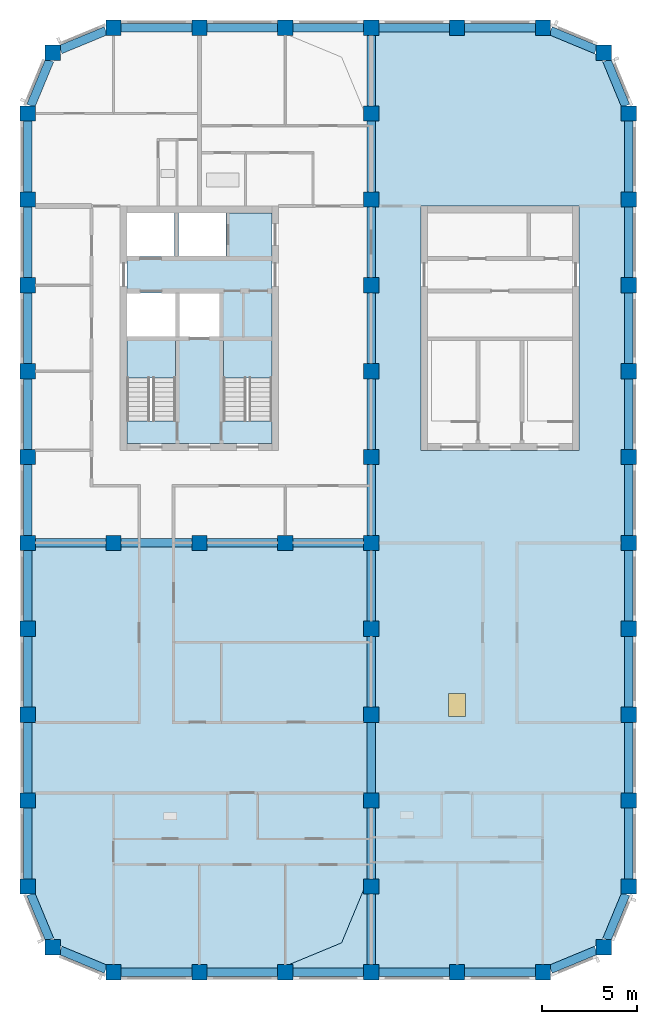
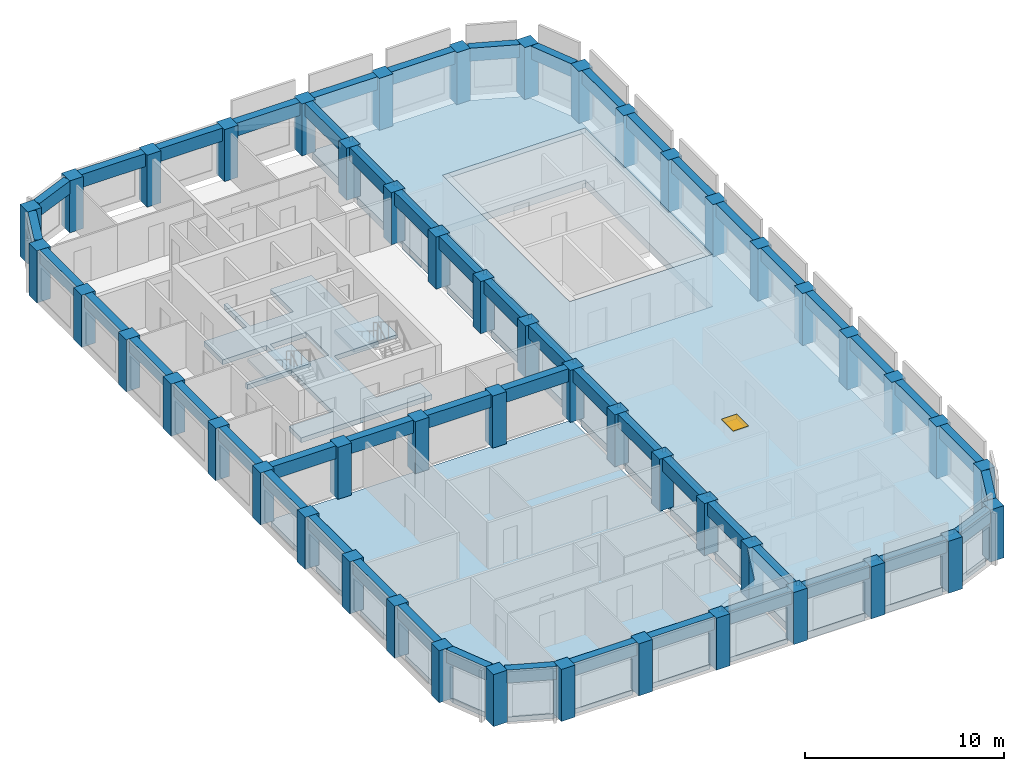
# One storey, part 1 of 10: 51 beams, 49 columns, 7 slabs, 1 window, 1 opening, 2 elements without a shape of their own.
"""IFC4 building model written with IfcOpenShell, lengths in metres."""

from ifc_helpers import new_model, si_unit, direction, frame, origin, origin_2d, place, context, subcontext, project, spatial, polyline, rectangle, outline, extrude, material, layer, layer_set, material_profile, profile_set, type_object, element, fill, aggregate, save


model = new_model("IFC4")

# Units and contexts
model_context = context("Model", 3, precision=1e-05, world=origin(), true_north=direction((0.0, 1.0)))
body_context = subcontext(model_context, "Body", "Model", "MODEL_VIEW")
ifc_project = project(units=[si_unit("LENGTHUNIT", "METRE"), si_unit("AREAUNIT", "SQUARE_METRE"), si_unit("VOLUMEUNIT", "CUBIC_METRE"), si_unit("PLANEANGLEUNIT", "RADIAN"), si_unit("MASSUNIT", "GRAM", prefix="KILO")], contexts=[model_context])

# Site, building, storey
site_placement = place(None, origin())
site = spatial("IfcSite", under=ifc_project, at=site_placement, CompositionType="ELEMENT")
building_placement = place(site_placement, origin())
building = spatial("IfcBuilding", under=site, at=building_placement, Name="Girih Gate Residences", CompositionType="ELEMENT")
storey_placement = place(building_placement, frame((0.0, 0.0, 232.4951171875)))
storey = spatial("IfcBuildingStorey", under=building, at=storey_placement, Name="L65", CompositionType="ELEMENT", Elevation=232.4951171875)

# Columns
ifc_material_1 = material(Name="Concrete C60/75", Category="concrete")
ifc_material_profile_1 = material_profile(ifc_material_1, rectangle(XDim=0.800048828125, YDim=0.800048828125, at=origin_2d()))
ifc_profile_set_1 = profile_set([ifc_material_profile_1], Name="Concrete C60/75")
column_type = type_object("IfcColumnType", Name="Pier RC 800x800 Concrete C60/75", PredefinedType="COLUMN", material=ifc_profile_set_1)
for number, where, z_axis, x_axis, name in (
    (1, (4.5, 0.0, 0.0), (0.0, 0.0, 1.0), (1.0, 0.0, 0.0), "Pier P2A L65"),
    (2, (9.0, 0.0, 0.0), (0.0, 0.0, 1.0), (1.0, 0.0, 0.0), "Pier P3A L65"),
    (3, (13.5, 0.0, 0.0), (0.0, 0.0, 1.0), (1.0, 0.0, 0.0), "Pier P4A L65"),
    (4, (18.0, 0.0, 0.0), (0.0, 0.0, 1.0), (1.0, 0.0, 0.0), "Pier P5A L65"),
    (5, (22.5, 0.0, 0.0), (0.0, 0.0, 1.0), (1.0, 0.0, 0.0), "Pier P6A L65"),
    (6, (27.0, 0.0, 0.0), (0.0, 0.0, 1.0), (1.0, 0.0, 0.0), "Pier P7A L65"),
    (7, (1.318115234375, 1.318115234375, 0.0), (0.0, 0.0, 1.0), (1.0, 0.0, 0.0), "Pier P1ANE L65"),
    (8, (30.181884765625, 1.318115234375, 0.0), (0.0, 0.0, 1.0), (1.0, 0.0, 0.0), "Pier P8ANW L65"),
    (9, (0.0, 4.5, 0.0), (0.0, 0.0, 1.0), (1.0, 0.0, 0.0), "Pier P1B L65"),
    (10, (18.0, 4.5, 0.0), (0.0, 0.0, 1.0), (1.0, 0.0, 0.0), "Pier P5B L65"),
    (11, (31.5, 4.5, 0.0), (0.0, 0.0, 1.0), (1.0, 0.0, 0.0), "Pier P8B L65"),
    (12, (0.0, 9.0, 0.0), (0.0, 0.0, 1.0), (1.0, 0.0, 0.0), "Pier P1C L65"),
    (13, (18.0, 9.0, 0.0), (0.0, 0.0, 1.0), (1.0, 0.0, 0.0), "Pier P5C L65"),
    (14, (31.5, 9.0, 0.0), (0.0, 0.0, 1.0), (1.0, 0.0, 0.0), "Pier P8C L65"),
    (15, (0.0, 13.5, 0.0), (0.0, 0.0, 1.0), (1.0, 0.0, 0.0), "Pier P1D L65"),
    (16, (18.0, 13.5, 0.0), (0.0, 0.0, 1.0), (1.0, 0.0, 0.0), "Pier P5D L65"),
    (17, (31.5, 13.5, 0.0), (0.0, 0.0, 1.0), (1.0, 0.0, 0.0), "Pier P8D L65"),
    (18, (0.0, 18.0, 0.0), (0.0, 0.0, 1.0), (1.0, 0.0, 0.0), "Pier P1E L65"),
    (19, (18.0, 18.0, 0.0), (0.0, 0.0, 1.0), (1.0, 0.0, 0.0), "Pier P5E L65"),
    (20, (31.5, 18.0, 0.0), (0.0, 0.0, 1.0), (1.0, 0.0, 0.0), "Pier P8E L65"),
    (21, (0.0, 22.5, 0.0), (0.0, 0.0, 1.0), (1.0, 0.0, 0.0), "Pier P1F L65"),
    (22, (4.5, 22.5, 0.0), (0.0, 0.0, 1.0), (1.0, 0.0, 0.0), "Pier P2F L65"),
    (23, (9.0, 22.5, 0.0), (0.0, 0.0, 1.0), (1.0, 0.0, 0.0), "Pier P3F L65"),
    (24, (13.5, 22.5, 0.0), (0.0, 0.0, 1.0), (1.0, 0.0, 0.0), "Pier P4F L65"),
    (25, (18.0, 22.5, 0.0), (0.0, 0.0, 1.0), (1.0, 0.0, 0.0), "Pier P5F L65"),
    (26, (31.5, 22.5, 0.0), (0.0, 0.0, 1.0), (1.0, 0.0, 0.0), "Pier P8F L65"),
    (27, (0.0, 27.0, 0.0), (0.0, 0.0, 1.0), (1.0, 0.0, 0.0), "Pier P1G L65"),
    (28, (18.0, 27.0, 0.0), (0.0, 0.0, 1.0), (1.0, 0.0, 0.0), "Pier P5G L65"),
    (29, (31.5, 27.0, 0.0), (0.0, 0.0, 1.0), (1.0, 0.0, 0.0), "Pier P8G L65"),
    (30, (0.0, 31.5, 0.0), (0.0, 0.0, 1.0), (1.0, 0.0, 0.0), "Pier P1H L65"),
    (31, (18.0, 31.5, 0.0), (0.0, 0.0, 1.0), (1.0, 0.0, 0.0), "Pier P5H L65"),
    (32, (31.5, 31.5, 0.0), (0.0, 0.0, 1.0), (1.0, 0.0, 0.0), "Pier P8H L65"),
    (33, (0.0, 36.0, 0.0), (0.0, 0.0, 1.0), (1.0, 0.0, 0.0), "Pier P1I L65"),
    (34, (18.0, 36.0, 0.0), (0.0, 0.0, 1.0), (1.0, 0.0, 0.0), "Pier P5I L65"),
    (35, (31.5, 36.0, 0.0), (0.0, 0.0, 1.0), (1.0, 0.0, 0.0), "Pier P8I L65"),
    (36, (0.0, 40.5, 0.0), (0.0, 0.0, 1.0), (1.0, 0.0, 0.0), "Pier P1J L65"),
    (37, (18.0, 40.5, 0.0), (0.0, 0.0, 1.0), (1.0, 0.0, 0.0), "Pier P5J L65"),
    (38, (31.5, 40.5, 0.0), (0.0, 0.0, 1.0), (1.0, 0.0, 0.0), "Pier P8J L65"),
    (39, (0.0, 45.0, 0.0), (0.0, 0.0, 1.0), (1.0, 0.0, 0.0), "Pier P1K L65"),
    (40, (18.0, 45.0, 0.0), (0.0, 0.0, 1.0), (1.0, 0.0, 0.0), "Pier P5K L65"),
    (41, (31.5, 45.0, 0.0), (0.0, 0.0, 1.0), (1.0, 0.0, 0.0), "Pier P8K L65"),
    (42, (1.318115234375, 48.181884765625, 0.0), (0.0, 0.0, 1.0), (1.0, 0.0, 0.0), "Pier P1LSE L65"),
    (43, (30.181884765625, 48.181884765625, 0.0), (0.0, 0.0, 1.0), (1.0, 0.0, 0.0), "Pier P8LSW L65"),
    (44, (4.5, 49.5, 0.0), (0.0, 0.0, 1.0), (1.0, 0.0, 0.0), "Pier P2L L65"),
    (45, (9.0, 49.5, 0.0), (0.0, 0.0, 1.0), (1.0, 0.0, 0.0), "Pier P3L L65"),
    (46, (13.5, 49.5, 0.0), (0.0, 0.0, 1.0), (1.0, 0.0, 0.0), "Pier P4L L65"),
    (47, (18.0, 49.5, 0.0), (0.0, 0.0, 1.0), (1.0, 0.0, 0.0), "Pier P5L L65"),
    (48, (22.5, 49.5, 0.0), (0.0, 0.0, 1.0), (1.0, 0.0, 0.0), "Pier P6L L65"),
    (49, (27.0, 49.5, 0.0), (0.0, 0.0, 1.0), (1.0, 0.0, 0.0), "Pier P7L L65"),
):
    element("IfcColumn", number, at=place(storey_placement, frame(where, z_axis=z_axis, x_axis=x_axis)), inside=storey, type_object=column_type, Name=name, PredefinedType="COLUMN", context=body_context, shape_type="SweptSolid", body=[
        extrude(rectangle(XDim=0.800048828125, YDim=0.800048828125, at=origin_2d()), origin(), (0.0, 0.0, 1.0), 3.199951171875),
    ])

# Beams
ifc_material_profile_2 = material_profile(ifc_material_1, rectangle(XDim=0.449951171875, YDim=0.800048828125, at=origin_2d()))
ifc_profile_set_2 = profile_set([ifc_material_profile_2], Name="Concrete C60/75")
beam_type = type_object("IfcBeamType", Name="Spandrel girder RC 450x800 Concrete C60/75", PredefinedType="BEAM", material=ifc_profile_set_2)
for number, where, z_axis, x_axis, name in (
    (50, (27.39990234375, 0.165771484375, 2.7998046875), (0.923895659062, 0.382644497107, 0.0), (-0.382644497107, 0.923895659062, 0.0), "Spandrel girder SP-P7A-P8ANW L65"),
    (51, (30.34765625, 1.718017578125, 2.7998046875), (0.382644497107, 0.923895659062, 0.0), (-0.923895659062, 0.382644497107, 0.0), "Spandrel girder SP-P8ANW-P8B L65"),
):
    element("IfcBeam", number, at=place(storey_placement, frame(where, z_axis=z_axis, x_axis=x_axis)), inside=storey, type_object=beam_type, Name=name, PredefinedType="BEAM", context=body_context, shape_type="SweptSolid", body=[
        extrude(rectangle(XDim=0.449951171875, YDim=0.800048828125, at=origin_2d()), origin(), (0.0, 0.0, 1.0), 2.578369140625),
    ])
for number, where, z_axis, x_axis, name in (
    (52, (31.5, 4.89990234375, 2.7998046875), (0.0, 1.0, 0.0), (-1.0, 0.0, 0.0), "Spandrel girder SP-P8B-P8C L65"),
    (53, (31.5, 9.39990234375, 2.7998046875), (0.0, 1.0, 0.0), (-1.0, 0.0, 0.0), "Spandrel girder SP-P8C-P8D L65"),
    (54, (31.5, 13.89990234375, 2.7998046875), (0.0, 1.0, 0.0), (-1.0, 0.0, 0.0), "Spandrel girder SP-P8D-P8E L65"),
    (55, (31.5, 18.39990234375, 2.7998046875), (0.0, 1.0, 0.0), (-1.0, 0.0, 0.0), "Spandrel girder SP-P8E-P8F L65"),
    (56, (31.5, 22.89990234375, 2.7998046875), (0.0, 1.0, 0.0), (-1.0, 0.0, 0.0), "Spandrel girder SP-P8F-P8G L65"),
    (57, (31.5, 27.39990234375, 2.7998046875), (0.0, 1.0, 0.0), (-1.0, 0.0, 0.0), "Spandrel girder SP-P8G-P8H L65"),
    (58, (31.5, 31.89990234375, 2.7998046875), (0.0, 1.0, 0.0), (-1.0, 0.0, 0.0), "Spandrel girder SP-P8H-P8I L65"),
    (59, (31.5, 36.39990234375, 2.7998046875), (0.0, 1.0, 0.0), (-1.0, 0.0, 0.0), "Spandrel girder SP-P8I-P8J L65"),
    (60, (31.5, 40.89990234375, 2.7998046875), (0.0, 1.0, 0.0), (-1.0, 0.0, 0.0), "Spandrel girder SP-P8J-P8K L65"),
):
    element("IfcBeam", number, at=place(storey_placement, frame(where, z_axis=z_axis, x_axis=x_axis)), inside=storey, type_object=beam_type, Name=name, PredefinedType="BEAM", context=body_context, shape_type="SweptSolid", body=[
        extrude(rectangle(XDim=0.449951171875, YDim=0.800048828125, at=origin_2d()), origin(), (0.0, 0.0, 1.0), 3.7001953125),
    ])
for number, where, z_axis, x_axis, name in (
    (61, (31.334228515625, 45.39990234375, 2.7998046875), (-0.382644497107, 0.923895659062, 0.0), (-0.923895659062, -0.382644497107, 0.0), "Spandrel girder SP-P8K-P8LSW L65"),
    (62, (29.781982421875, 48.34765625, 2.7998046875), (-0.923895659062, 0.382644497107, 0.0), (-0.382644497107, -0.923895659062, 0.0), "Spandrel girder SP-P8LSW-P7L L65"),
):
    element("IfcBeam", number, at=place(storey_placement, frame(where, z_axis=z_axis, x_axis=x_axis)), inside=storey, type_object=beam_type, Name=name, PredefinedType="BEAM", context=body_context, shape_type="SweptSolid", body=[
        extrude(rectangle(XDim=0.449951171875, YDim=0.800048828125, at=origin_2d()), origin(), (0.0, 0.0, 1.0), 2.578369140625),
    ])
for number, where, z_axis, x_axis, name in (
    (63, (26.60009765625, 49.5, 2.7998046875), (-1.0, 0.0, 0.0), (0.0, -1.0, 0.0), "Spandrel girder SP-P7L-P6L L65"),
    (64, (22.10009765625, 49.5, 2.7998046875), (-1.0, 0.0, 0.0), (0.0, -1.0, 0.0), "Spandrel girder SP-P6L-P5L L65"),
    (65, (17.60009765625, 49.5, 2.7998046875), (-1.0, 0.0, 0.0), (0.0, -1.0, 0.0), "Spandrel girder SP-P5L-P4L L65"),
    (66, (13.10009765625, 49.5, 2.7998046875), (-1.0, 0.0, 0.0), (0.0, -1.0, 0.0), "Spandrel girder SP-P4L-P3L L65"),
    (67, (8.60009765625, 49.5, 2.7998046875), (-1.0, 0.0, 0.0), (0.0, -1.0, 0.0), "Spandrel girder SP-P3L-P2L L65"),
):
    element("IfcBeam", number, at=place(storey_placement, frame(where, z_axis=z_axis, x_axis=x_axis)), inside=storey, type_object=beam_type, Name=name, PredefinedType="BEAM", context=body_context, shape_type="SweptSolid", body=[
        extrude(rectangle(XDim=0.449951171875, YDim=0.800048828125, at=origin_2d()), origin(), (0.0, 0.0, 1.0), 3.7001953125),
    ])
for number, where, z_axis, x_axis, name in (
    (68, (4.10009765625, 49.334228515625, 2.7998046875), (-0.923895659062, -0.382644497107, 0.0), (0.382644497107, -0.923895659062, 0.0), "Spandrel girder SP-P2L-P1LSE L65"),
    (69, (1.15234375, 47.781982421875, 2.7998046875), (-0.382644497107, -0.923895659062, 0.0), (0.923895659062, -0.382644497107, 0.0), "Spandrel girder SP-P1LSE-P1K L65"),
):
    element("IfcBeam", number, at=place(storey_placement, frame(where, z_axis=z_axis, x_axis=x_axis)), inside=storey, type_object=beam_type, Name=name, PredefinedType="BEAM", context=body_context, shape_type="SweptSolid", body=[
        extrude(rectangle(XDim=0.449951171875, YDim=0.800048828125, at=origin_2d()), origin(), (0.0, 0.0, 1.0), 2.578369140625),
    ])
for number, where, z_axis, x_axis, name in (
    (70, (0.0, 44.60009765625, 2.7998046875), (0.0, -1.0, 0.0), (1.0, 0.0, 0.0), "Spandrel girder SP-P1K-P1J L65"),
    (71, (0.0, 40.10009765625, 2.7998046875), (0.0, -1.0, 0.0), (1.0, 0.0, 0.0), "Spandrel girder SP-P1J-P1I L65"),
    (72, (0.0, 35.60009765625, 2.7998046875), (0.0, -1.0, 0.0), (1.0, 0.0, 0.0), "Spandrel girder SP-P1I-P1H L65"),
    (73, (0.0, 31.10009765625, 2.7998046875), (0.0, -1.0, 0.0), (1.0, 0.0, 0.0), "Spandrel girder SP-P1H-P1G L65"),
    (74, (0.0, 26.60009765625, 2.7998046875), (0.0, -1.0, 0.0), (1.0, 0.0, 0.0), "Spandrel girder SP-P1G-P1F L65"),
    (75, (0.0, 22.10009765625, 2.7998046875), (0.0, -1.0, 0.0), (1.0, 0.0, 0.0), "Spandrel girder SP-P1F-P1E L65"),
    (76, (0.0, 17.60009765625, 2.7998046875), (0.0, -1.0, 0.0), (1.0, 0.0, 0.0), "Spandrel girder SP-P1E-P1D L65"),
    (77, (0.0, 13.10009765625, 2.7998046875), (0.0, -1.0, 0.0), (1.0, 0.0, 0.0), "Spandrel girder SP-P1D-P1C L65"),
    (78, (0.0, 8.60009765625, 2.7998046875), (0.0, -1.0, 0.0), (1.0, 0.0, 0.0), "Spandrel girder SP-P1C-P1B L65"),
):
    element("IfcBeam", number, at=place(storey_placement, frame(where, z_axis=z_axis, x_axis=x_axis)), inside=storey, type_object=beam_type, Name=name, PredefinedType="BEAM", context=body_context, shape_type="SweptSolid", body=[
        extrude(rectangle(XDim=0.449951171875, YDim=0.800048828125, at=origin_2d()), origin(), (0.0, 0.0, 1.0), 3.7001953125),
    ])
for number, where, z_axis, x_axis, name in (
    (79, (0.165771484375, 4.10009765625, 2.7998046875), (0.382644497107, -0.923895659062, 0.0), (0.923895659062, 0.382644497107, 0.0), "Spandrel girder SP-P1B-P1ANE L65"),
    (80, (1.718017578125, 1.15234375, 2.7998046875), (0.923895659062, -0.382644497107, 0.0), (0.382644497107, 0.923895659062, 0.0), "Spandrel girder SP-P1ANE-P2A L65"),
):
    element("IfcBeam", number, at=place(storey_placement, frame(where, z_axis=z_axis, x_axis=x_axis)), inside=storey, type_object=beam_type, Name=name, PredefinedType="BEAM", context=body_context, shape_type="SweptSolid", body=[
        extrude(rectangle(XDim=0.449951171875, YDim=0.800048828125, at=origin_2d()), origin(), (0.0, 0.0, 1.0), 2.578369140625),
    ])
for number, where, z_axis, x_axis, name in (
    (81, (4.89990234375, 0.0, 2.7998046875), (1.0, 0.0, 0.0), (0.0, 1.0, 0.0), "Spandrel girder SP-P2A-P3A L65"),
    (82, (9.39990234375, 0.0, 2.7998046875), (1.0, 0.0, 0.0), (0.0, 1.0, 0.0), "Spandrel girder SP-P3A-P4A L65"),
    (83, (13.89990234375, 0.0, 2.7998046875), (1.0, 0.0, 0.0), (0.0, 1.0, 0.0), "Spandrel girder SP-P4A-P5A L65"),
    (84, (18.39990234375, 0.0, 2.7998046875), (1.0, 0.0, 0.0), (0.0, 1.0, 0.0), "Spandrel girder SP-P5A-P6A L65"),
    (85, (22.89990234375, 0.0, 2.7998046875), (1.0, 0.0, 0.0), (0.0, 1.0, 0.0), "Spandrel girder SP-P6A-P7A L65"),
    (86, (18.0, 0.39990234375, 2.7998046875), (0.0, 1.0, 0.0), (-1.0, 0.0, 0.0), "Spandrel girder SP-P5A-P5B L65"),
    (87, (18.0, 4.89990234375, 2.7998046875), (0.0, 1.0, 0.0), (-1.0, 0.0, 0.0), "Spandrel girder SP-P5B-P5C L65"),
    (88, (18.0, 9.39990234375, 2.7998046875), (0.0, 1.0, 0.0), (-1.0, 0.0, 0.0), "Spandrel girder SP-P5C-P5D L65"),
    (89, (18.0, 13.89990234375, 2.7998046875), (0.0, 1.0, 0.0), (-1.0, 0.0, 0.0), "Spandrel girder SP-P5D-P5E L65"),
    (90, (18.0, 18.39990234375, 2.7998046875), (0.0, 1.0, 0.0), (-1.0, 0.0, 0.0), "Spandrel girder SP-P5E-P5F L65"),
    (91, (18.0, 22.89990234375, 2.7998046875), (0.0, 1.0, 0.0), (-1.0, 0.0, 0.0), "Spandrel girder SP-P5F-P5G L65"),
    (92, (18.0, 27.39990234375, 2.7998046875), (0.0, 1.0, 0.0), (-1.0, 0.0, 0.0), "Spandrel girder SP-P5G-P5H L65"),
    (93, (18.0, 31.89990234375, 2.7998046875), (0.0, 1.0, 0.0), (-1.0, 0.0, 0.0), "Spandrel girder SP-P5H-P5I L65"),
    (94, (18.0, 36.39990234375, 2.7998046875), (0.0, 1.0, 0.0), (-1.0, 0.0, 0.0), "Spandrel girder SP-P5I-P5J L65"),
    (95, (18.0, 40.89990234375, 2.7998046875), (0.0, 1.0, 0.0), (-1.0, 0.0, 0.0), "Spandrel girder SP-P5J-P5K L65"),
    (96, (18.0, 45.39990234375, 2.7998046875), (0.0, 1.0, 0.0), (-1.0, 0.0, 0.0), "Spandrel girder SP-P5K-P5L L65"),
    (97, (0.39990234375, 22.5, 2.7998046875), (1.0, 0.0, 0.0), (0.0, 1.0, 0.0), "Spandrel girder SP-P1F-P2F L65"),
    (98, (4.89990234375, 22.5, 2.7998046875), (1.0, 0.0, 0.0), (0.0, 1.0, 0.0), "Spandrel girder SP-P2F-P3F L65"),
    (99, (9.39990234375, 22.5, 2.7998046875), (1.0, 0.0, 0.0), (0.0, 1.0, 0.0), "Spandrel girder SP-P3F-P4F L65"),
    (100, (13.89990234375, 22.5, 2.7998046875), (1.0, 0.0, 0.0), (0.0, 1.0, 0.0), "Spandrel girder SP-P4F-P5F L65"),
):
    element("IfcBeam", number, at=place(storey_placement, frame(where, z_axis=z_axis, x_axis=x_axis)), inside=storey, type_object=beam_type, Name=name, PredefinedType="BEAM", context=body_context, shape_type="SweptSolid", body=[
        extrude(rectangle(XDim=0.449951171875, YDim=0.800048828125, at=origin_2d()), origin(), (0.0, 0.0, 1.0), 3.7001953125),
    ])

# Slabs
ifc_material_2 = material(Name="Concrete C40/50", Category="concrete")
ifc_layer_1 = layer(ifc_material_2, 0.300048828125)
ifc_layer_set_1 = layer_set([ifc_layer_1], Name="Core floor slab 300")
slab_type_1 = type_object("IfcSlabType", Name="Core floor slab 300", PredefinedType="FLOOR", material=ifc_layer_set_1)
slab_1_placement = place(storey_placement, frame((0.0, 0.0, -0.300048828125)))
element("IfcSlab", 101, at=slab_1_placement, inside=storey, type_object=slab_type_1, Name="L65 W core floor", PredefinedType="FLOOR", context=body_context, shape_type="SweptSolid", body=[
    extrude(outline(polyline([(12.800048828125, 27.699951171875), (5.199951171875, 27.699951171875), (5.199951171875, 28.900634765625), (7.75, 28.900634765625), (7.75, 33.10009765625), (5.199951171875, 33.10009765625), (5.199951171875, 33.300048828125), (7.75, 33.300048828125), (7.75, 35.60009765625), (5.199951171875, 35.60009765625), (5.199951171875, 37.5), (7.699951171875, 37.5), (7.699951171875, 39.800048828125), (7.89990234375, 39.800048828125), (7.89990234375, 37.5), (10.39990234375, 37.5), (10.39990234375, 39.800048828125), (12.800048828125, 39.800048828125), (12.800048828125, 33.10009765625), (10.25, 33.10009765625), (10.25, 28.900634765625), (12.800048828125, 28.900634765625), (12.800048828125, 27.699951171875)]), holes=[polyline([(7.949951171875, 33.300048828125), (10.050048828125, 33.300048828125), (10.050048828125, 35.60009765625), (7.949951171875, 35.60009765625), (7.949951171875, 33.300048828125)])]), origin(), (0.0, 0.0, 1.0), 0.300048828125),
])
ifc_layer_2 = layer(ifc_material_2, 0.300048828125)
ifc_layer_set_2 = layer_set([ifc_layer_2], Name="Floor slab PT 300 Concrete C40/50")
slab_type_2 = type_object("IfcSlabType", Name="Floor slab PT 300 Concrete C40/50", PredefinedType="FLOOR", material=ifc_layer_set_2)
slab_2_placement = place(storey_placement, frame((0.0, 0.0, -0.300048828125)))
element("IfcSlab", 102, at=slab_2_placement, inside=storey, type_object=slab_type_2, Name="Floor slab L65 0", PredefinedType="FLOOR", context=body_context, shape_type="SweptSolid", body=[
    extrude(outline(polyline([(13.89990234375, 0.22509765625), (17.60009765625, 0.22509765625), (17.60009765625, 0.39990234375), (17.77490234375, 0.39990234375), (17.77490234375, 4.10009765625), (17.60009765625, 4.10009765625), (17.60009765625, 4.89990234375), (17.77490234375, 4.89990234375), (17.77490234375, 8.60009765625), (17.60009765625, 8.60009765625), (17.60009765625, 9.39990234375), (17.77490234375, 9.39990234375), (17.77490234375, 13.10009765625), (17.60009765625, 13.10009765625), (17.60009765625, 13.89990234375), (17.77490234375, 13.89990234375), (17.77490234375, 17.60009765625), (17.60009765625, 17.60009765625), (17.60009765625, 18.39990234375), (17.77490234375, 18.39990234375), (17.77490234375, 22.10009765625), (17.60009765625, 22.10009765625), (17.60009765625, 22.27490234375), (13.89990234375, 22.27490234375), (13.89990234375, 22.10009765625), (13.10009765625, 22.10009765625), (13.10009765625, 22.27490234375), (9.39990234375, 22.27490234375), (9.39990234375, 22.10009765625), (8.60009765625, 22.10009765625), (8.60009765625, 22.27490234375), (4.89990234375, 22.27490234375), (4.89990234375, 22.10009765625), (4.10009765625, 22.10009765625), (4.10009765625, 22.27490234375), (0.39990234375, 22.27490234375), (0.39990234375, 22.10009765625), (0.22509765625, 22.10009765625), (0.22509765625, 18.39990234375), (0.39990234375, 18.39990234375), (0.39990234375, 17.60009765625), (0.22509765625, 17.60009765625), (0.22509765625, 13.89990234375), (0.39990234375, 13.89990234375), (0.39990234375, 13.10009765625), (0.22509765625, 13.10009765625), (0.22509765625, 9.39990234375), (0.39990234375, 9.39990234375), (0.39990234375, 8.60009765625), (0.22509765625, 8.60009765625), (0.22509765625, 4.89990234375), (0.39990234375, 4.89990234375), (0.39990234375, 4.122314453125), (1.395751953125, 1.718017578125), (1.718017578125, 1.718017578125), (1.718017578125, 1.395751953125), (4.122314453125, 0.39990234375), (4.89990234375, 0.39990234375), (4.89990234375, 0.22509765625), (8.60009765625, 0.22509765625), (8.60009765625, 0.39990234375), (9.39990234375, 0.39990234375), (9.39990234375, 0.22509765625), (13.10009765625, 0.22509765625), (13.10009765625, 0.39990234375), (13.89990234375, 0.39990234375), (13.89990234375, 0.22509765625)])), origin(), (0.0, 0.0, 1.0), 0.300048828125),
])
ifc_layer_3 = layer(ifc_material_2, 0.449951171875)
ifc_layer_set_3 = layer_set([ifc_layer_3], Name="Floor slab PT 450 Concrete C40/50")
slab_type_3 = type_object("IfcSlabType", Name="Floor slab PT 450 Concrete C40/50", PredefinedType="FLOOR", material=ifc_layer_set_3)
slab_3_placement = place(storey_placement, frame((0.0, 0.0, -0.4501953125)))
element("IfcSlab", 103, at=slab_3_placement, inside=storey, type_object=slab_type_3, Name="Floor slab L65 1", PredefinedType="FLOOR", context=body_context, shape_type="SweptSolid", body=[
    extrude(outline(polyline([(22.89990234375, 0.22509765625), (26.60009765625, 0.22509765625), (26.60009765625, 0.39990234375), (27.377685546875, 0.39990234375), (29.781982421875, 1.395751953125), (29.781982421875, 1.718017578125), (30.104248046875, 1.718017578125), (31.10009765625, 4.122314453125), (31.10009765625, 4.89990234375), (31.27490234375, 4.89990234375), (31.27490234375, 8.60009765625), (31.10009765625, 8.60009765625), (31.10009765625, 9.39990234375), (31.27490234375, 9.39990234375), (31.27490234375, 13.10009765625), (31.10009765625, 13.10009765625), (31.10009765625, 13.89990234375), (31.27490234375, 13.89990234375), (31.27490234375, 17.60009765625), (31.10009765625, 17.60009765625), (31.10009765625, 18.39990234375), (31.27490234375, 18.39990234375), (31.27490234375, 22.10009765625), (31.10009765625, 22.10009765625), (31.10009765625, 22.89990234375), (31.27490234375, 22.89990234375), (31.27490234375, 26.60009765625), (31.10009765625, 26.60009765625), (31.10009765625, 27.39990234375), (31.27490234375, 27.39990234375), (31.27490234375, 31.10009765625), (31.10009765625, 31.10009765625), (31.10009765625, 31.89990234375), (31.27490234375, 31.89990234375), (31.27490234375, 35.60009765625), (31.10009765625, 35.60009765625), (31.10009765625, 36.39990234375), (31.27490234375, 36.39990234375), (31.27490234375, 40.10009765625), (31.10009765625, 40.10009765625), (31.10009765625, 40.89990234375), (31.27490234375, 40.89990234375), (31.27490234375, 44.60009765625), (31.10009765625, 44.60009765625), (31.10009765625, 45.377685546875), (30.104248046875, 47.781982421875), (29.781982421875, 47.781982421875), (29.781982421875, 48.104248046875), (27.377685546875, 49.10009765625), (26.60009765625, 49.10009765625), (26.60009765625, 49.27490234375), (22.89990234375, 49.27490234375), (22.89990234375, 49.10009765625), (22.10009765625, 49.10009765625), (22.10009765625, 49.27490234375), (18.39990234375, 49.27490234375), (18.39990234375, 49.10009765625), (18.22509765625, 49.10009765625), (18.22509765625, 45.39990234375), (18.39990234375, 45.39990234375), (18.39990234375, 44.60009765625), (18.22509765625, 44.60009765625), (18.22509765625, 40.89990234375), (18.39990234375, 40.89990234375), (18.39990234375, 40.10009765625), (18.22509765625, 40.10009765625), (18.22509765625, 36.39990234375), (18.39990234375, 36.39990234375), (18.39990234375, 35.60009765625), (18.22509765625, 35.60009765625), (18.22509765625, 31.89990234375), (18.39990234375, 31.89990234375), (18.39990234375, 31.10009765625), (18.22509765625, 31.10009765625), (18.22509765625, 27.39990234375), (18.39990234375, 27.39990234375), (18.39990234375, 26.60009765625), (18.22509765625, 26.60009765625), (18.22509765625, 22.89990234375), (18.39990234375, 22.89990234375), (18.39990234375, 22.10009765625), (18.22509765625, 22.10009765625), (18.22509765625, 18.39990234375), (18.39990234375, 18.39990234375), (18.39990234375, 17.60009765625), (18.22509765625, 17.60009765625), (18.22509765625, 13.89990234375), (18.39990234375, 13.89990234375), (18.39990234375, 13.10009765625), (18.22509765625, 13.10009765625), (18.22509765625, 9.39990234375), (18.39990234375, 9.39990234375), (18.39990234375, 8.60009765625), (18.22509765625, 8.60009765625), (18.22509765625, 4.89990234375), (18.39990234375, 4.89990234375), (18.39990234375, 4.10009765625), (18.22509765625, 4.10009765625), (18.22509765625, 0.39990234375), (18.39990234375, 0.39990234375), (18.39990234375, 0.22509765625), (22.10009765625, 0.22509765625), (22.10009765625, 0.39990234375), (22.89990234375, 0.39990234375), (22.89990234375, 0.22509765625)]), holes=[polyline([(28.89990234375, 40.14990234375), (28.89990234375, 27.35009765625), (20.60009765625, 27.35009765625), (20.60009765625, 40.14990234375), (28.89990234375, 40.14990234375)])]), origin(), (0.0, 0.0, 1.0), 0.4501953125),
])
ifc_layer_4 = layer(ifc_material_2, 0.300048828125)
ifc_layer_set_4 = layer_set([ifc_layer_4], Name="Roof slab RC 300 Concrete C40/50")
slab_type_4 = type_object("IfcSlabType", Name="Roof slab RC 300 Concrete C40/50", PredefinedType="ROOF", material=ifc_layer_set_4)
slab_4_placement = place(storey_placement, frame((0.0, 0.0, 2.89990234375)))
element("IfcSlab", 104, at=slab_4_placement, inside=storey, type_object=slab_type_4, Name="Roof slab L65 0", PredefinedType="ROOF", context=body_context, shape_type="SweptSolid", body=[
    extrude(outline(polyline([(13.89990234375, 0.22509765625), (17.60009765625, 0.22509765625), (17.60009765625, 0.39990234375), (17.77490234375, 0.39990234375), (17.77490234375, 4.10009765625), (17.60009765625, 4.10009765625), (17.60009765625, 4.318359375), (16.452392578125, 1.547607421875), (13.681640625, 0.39990234375), (13.89990234375, 0.39990234375), (13.89990234375, 0.22509765625)])), origin(), (0.0, 0.0, 1.0), 0.300048828125),
])

# Slab, opening, window
slab_5_placement = place(storey_placement, frame((0.0, 0.0, 2.89990234375)))
slab_5 = element("IfcSlab", 105, at=slab_5_placement, inside=storey, type_object=slab_type_4, Name="Roof slab L65 1", PredefinedType="ROOF", context=body_context, shape_type="SweptSolid", body=[
    extrude(outline(polyline([(22.10009765625, 49.27490234375), (18.39990234375, 49.27490234375), (18.39990234375, 49.10009765625), (18.22509765625, 49.10009765625), (18.22509765625, 45.39990234375), (18.39990234375, 45.39990234375), (18.39990234375, 44.60009765625), (18.22509765625, 44.60009765625), (18.22509765625, 40.89990234375), (18.39990234375, 40.89990234375), (18.39990234375, 40.10009765625), (18.22509765625, 40.10009765625), (18.22509765625, 36.39990234375), (18.39990234375, 36.39990234375), (18.39990234375, 35.60009765625), (18.22509765625, 35.60009765625), (18.22509765625, 31.89990234375), (18.39990234375, 31.89990234375), (18.39990234375, 31.10009765625), (18.22509765625, 31.10009765625), (18.22509765625, 27.39990234375), (18.39990234375, 27.39990234375), (18.39990234375, 26.60009765625), (18.22509765625, 26.60009765625), (18.22509765625, 22.89990234375), (18.39990234375, 22.89990234375), (18.39990234375, 22.10009765625), (18.22509765625, 22.10009765625), (18.22509765625, 18.39990234375), (18.39990234375, 18.39990234375), (18.39990234375, 17.60009765625), (18.22509765625, 17.60009765625), (18.22509765625, 13.89990234375), (18.39990234375, 13.89990234375), (18.39990234375, 13.10009765625), (18.22509765625, 13.10009765625), (18.22509765625, 9.39990234375), (18.39990234375, 9.39990234375), (18.39990234375, 8.60009765625), (18.22509765625, 8.60009765625), (18.22509765625, 4.89990234375), (18.39990234375, 4.89990234375), (18.39990234375, 4.10009765625), (18.22509765625, 4.10009765625), (18.22509765625, 0.39990234375), (18.39990234375, 0.39990234375), (18.39990234375, 0.22509765625), (22.10009765625, 0.22509765625), (22.10009765625, 0.39990234375), (22.89990234375, 0.39990234375), (22.89990234375, 0.22509765625), (26.60009765625, 0.22509765625), (26.60009765625, 0.39990234375), (27.377685546875, 0.39990234375), (29.781982421875, 1.395751953125), (29.781982421875, 1.718017578125), (30.104248046875, 1.718017578125), (31.10009765625, 4.122314453125), (31.10009765625, 4.89990234375), (31.27490234375, 4.89990234375), (31.27490234375, 8.60009765625), (31.10009765625, 8.60009765625), (31.10009765625, 9.39990234375), (31.27490234375, 9.39990234375), (31.27490234375, 13.10009765625), (31.10009765625, 13.10009765625), (31.10009765625, 13.89990234375), (31.27490234375, 13.89990234375), (31.27490234375, 17.60009765625), (31.10009765625, 17.60009765625), (31.10009765625, 18.39990234375), (31.27490234375, 18.39990234375), (31.27490234375, 22.10009765625), (31.10009765625, 22.10009765625), (31.10009765625, 22.89990234375), (31.27490234375, 22.89990234375), (31.27490234375, 26.60009765625), (31.10009765625, 26.60009765625), (31.10009765625, 27.39990234375), (31.27490234375, 27.39990234375), (31.27490234375, 31.10009765625), (31.10009765625, 31.10009765625), (31.10009765625, 31.89990234375), (31.27490234375, 31.89990234375), (31.27490234375, 35.60009765625), (31.10009765625, 35.60009765625), (31.10009765625, 36.39990234375), (31.27490234375, 36.39990234375), (31.27490234375, 40.10009765625), (31.10009765625, 40.10009765625), (31.10009765625, 40.89990234375), (31.27490234375, 40.89990234375), (31.27490234375, 44.60009765625), (31.10009765625, 44.60009765625), (31.10009765625, 45.377685546875), (30.104248046875, 47.781982421875), (29.781982421875, 47.781982421875), (29.781982421875, 48.104248046875), (27.377685546875, 49.10009765625), (26.60009765625, 49.10009765625), (26.60009765625, 49.27490234375), (22.89990234375, 49.27490234375), (22.89990234375, 49.10009765625), (22.10009765625, 49.10009765625), (22.10009765625, 49.27490234375)]), holes=[polyline([(20.60009765625, 40.14990234375), (28.89990234375, 40.14990234375), (28.89990234375, 27.35009765625), (20.60009765625, 27.35009765625), (20.60009765625, 40.14990234375)])]), origin(), (0.0, 0.0, 1.0), 0.300048828125),
])
opening_placement = place(slab_5_placement, frame((22.5, 14.0, 0.0)))
opening = element("IfcOpeningElement", 106, at=opening_placement, cuts=slab_5, Name="Opening RH-1", PredefinedType="OPENING", context=body_context, shape_type="SweptSolid", body=[
    extrude(rectangle(XDim=0.89990234375, YDim=1.199951171875, at=origin_2d()), frame((0.0, 0.0, -0.010009765625)), (0.0, 0.0, 1.0), 0.320068359375),
])
ifc_material_3 = material(Name="Insulated aluminium roof hatch", Category="aluminium")
window_type = type_object("IfcWindowType", Name="Roof access hatch 900x1200", PartitioningType="SINGLE_PANEL", PredefinedType="SKYLIGHT", material=ifc_material_3)
window_placement = place(opening_placement, frame((0.0, 0.0, 0.25)))
window = element("IfcWindow", 107, at=window_placement, inside=storey, type_object=window_type, Name="Roof access hatch", OverallHeight=1.199951171875, OverallWidth=0.89990234375, PartitioningType="SINGLE_PANEL", PredefinedType="SKYLIGHT", context=body_context, shape_type="SweptSolid", body=[
    extrude(rectangle(XDim=0.89990234375, YDim=1.199951171875, at=origin_2d()), origin(), (0.0, 0.0, 1.0), 0.050048828125),
])
fill(opening, window)

# Stair, slab
stair_type = type_object("IfcStairType", Name="Exit stair", PredefinedType="HALF_TURN_STAIR", material=ifc_material_2)
stair_1_placement = place(storey_placement, origin())
stair_1 = element("IfcStair", 108, at=stair_1_placement, inside=storey, type_object=stair_type, Name="L65 Exit Stair ST-W1", PredefinedType="HALF_TURN_STAIR")
ifc_layer_5 = layer(ifc_material_2, 0.199951171875)
ifc_layer_set_5 = layer_set([ifc_layer_5], Name="Stair landing 200")
slab_type_5 = type_object("IfcSlabType", Name="Stair landing 200", PredefinedType="LANDING", material=ifc_layer_set_5)
slab_6_placement = place(storey_placement, frame((0.0, 0.0, 1.39990234375)))
slab_6 = element("IfcSlab", 109, at=slab_6_placement, type_object=slab_type_5, Name="ST-W1 landing 1", PredefinedType="LANDING", context=body_context, shape_type="SweptSolid", body=[
    extrude(outline(polyline([(7.75, 31.14990234375), (7.75, 33.10009765625), (5.199951171875, 33.10009765625), (5.199951171875, 31.14990234375), (7.75, 31.14990234375)])), origin(), (0.0, 0.0, 1.0), 0.199951171875),
])
aggregate(stair_1, [slab_6])

stair_2_placement = place(storey_placement, origin())
stair_2 = element("IfcStair", 110, at=stair_2_placement, inside=storey, type_object=stair_type, Name="L65 Exit Stair ST-W2", PredefinedType="HALF_TURN_STAIR")
slab_7_placement = place(storey_placement, frame((0.0, 0.0, 1.39990234375)))
slab_7 = element("IfcSlab", 111, at=slab_7_placement, type_object=slab_type_5, Name="ST-W2 landing 1", PredefinedType="LANDING", context=body_context, shape_type="SweptSolid", body=[
    extrude(outline(polyline([(12.800048828125, 31.14990234375), (12.800048828125, 33.10009765625), (10.25, 33.10009765625), (10.25, 31.14990234375), (12.800048828125, 31.14990234375)])), origin(), (0.0, 0.0, 1.0), 0.199951171875),
])
aggregate(stair_2, [slab_7])

save(model, "model.ifc")
